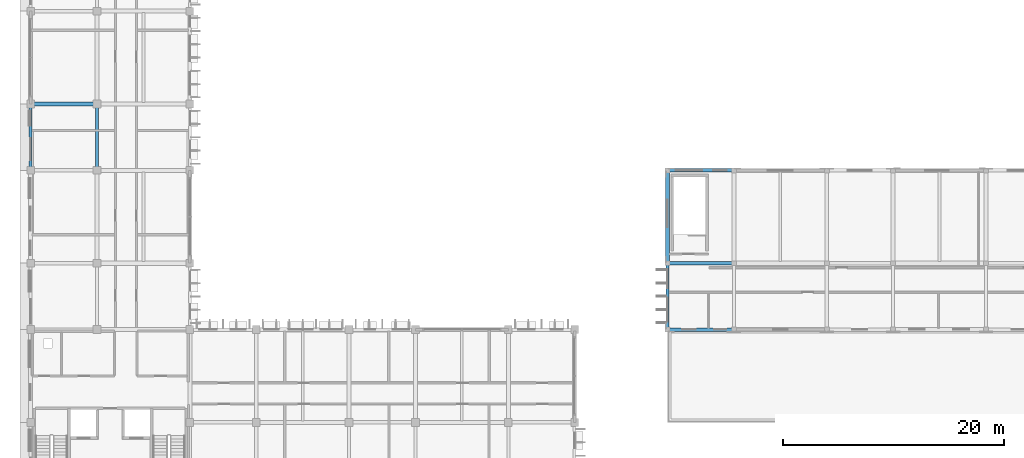
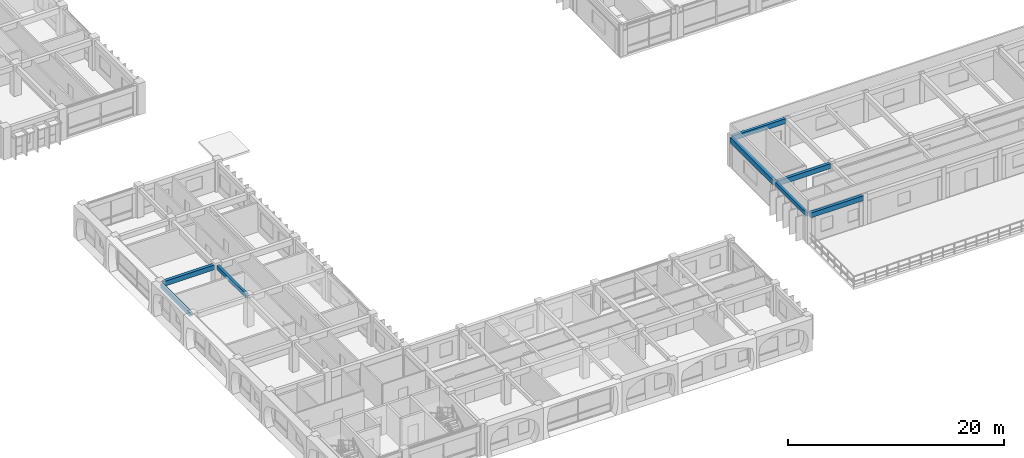
# One storey, part 16 of 88: 8 beams.
"""IFC4 building model written with IfcOpenShell, lengths in metres."""

from ifc_helpers import new_model, si_unit, direction, frame, origin, origin_2d, place, context, subcontext, project, spatial, rectangle, extrude, material, material_profile, profile_set, type_object, element, save


model = new_model("IFC4")

# Units and contexts
model_context = context("Model", 3, precision=1e-05, world=origin(), true_north=direction((0.0, 1.0)))
body_context = subcontext(model_context, "Body", "Model", "MODEL_VIEW")
ifc_project = project(units=[si_unit("LENGTHUNIT", "METRE"), si_unit("AREAUNIT", "SQUARE_METRE"), si_unit("VOLUMEUNIT", "CUBIC_METRE"), si_unit("PLANEANGLEUNIT", "RADIAN"), si_unit("MASSUNIT", "GRAM", prefix="KILO"), si_unit("THERMODYNAMICTEMPERATUREUNIT", "KELVIN")], contexts=[model_context])

# Site, building, storey
site_placement = place(None, origin())
site = spatial("IfcSite", under=ifc_project, at=site_placement, CompositionType="ELEMENT")
building_placement = place(site_placement, origin())
building = spatial("IfcBuilding", under=site, at=building_placement, Name="Thalorik Housing Commons", CompositionType="ELEMENT")
storey_placement = place(building_placement, frame((0.0, 0.0, 4.5)))
storey = spatial("IfcBuildingStorey", under=building, at=storey_placement, Name="L01", CompositionType="ELEMENT", Elevation=4.5)

# Beams
ifc_material = material(Name="Precast concrete C40/50", Category="concrete")
ifc_material_profile_1 = material_profile(ifc_material, rectangle(XDim=0.280029296875, YDim=0.449951171875, at=origin_2d()), Name="PC 280x450", Category="concrete")
ifc_profile_set_1 = profile_set([ifc_material_profile_1], Name="Precast concrete C40/50")
beam_type_1 = type_object("IfcBeamType", Name="STR-BM-PC280x450", PredefinedType="BEAM", material=ifc_profile_set_1)
for number, where, z_axis, x_axis, name in (
    (1, (8.39990234375, 37.5, 3.114990234375), (0.0, 1.0, 0.0), (-1.0, 0.0, 0.0), "L01 Beam B-450"),
    (2, (14.39990234375, 37.5, 3.114990234375), (0.0, 1.0, 0.0), (-1.0, 0.0, 0.0), "L01 Beam B-450"),
):
    element("IfcBeam", number, at=place(storey_placement, frame(where, z_axis=z_axis, x_axis=x_axis)), inside=storey, type_object=beam_type_1, Name=name, PredefinedType="BEAM", context=body_context, shape_type="SweptSolid", body=[
        extrude(rectangle(XDim=0.280029296875, YDim=0.449951171875, at=origin_2d()), origin(), (0.0, 0.0, 1.0), 5.39990234375),
    ])
beam_1_placement = place(storey_placement, frame((66.0, 22.97509765625, 3.114990234375), z_axis=(0.0, 1.0, 0.0), x_axis=(-1.0, 0.0, 0.0)))
element("IfcBeam", 3, at=beam_1_placement, inside=storey, type_object=beam_type_1, Name="L01 Beam B-450", PredefinedType="BEAM", context=body_context, shape_type="SweptSolid", body=[
    extrude(rectangle(XDim=0.280029296875, YDim=0.449951171875, at=origin_2d()), origin(), (0.0, 0.0, 1.0), 5.64990234375),
])
ifc_material_profile_2 = material_profile(ifc_material, rectangle(XDim=0.320068359375, YDim=0.550048828125, at=origin_2d()), Name="PC 320x550", Category="concrete")
ifc_profile_set_2 = profile_set([ifc_material_profile_2], Name="Precast concrete C40/50")
beam_type_2 = type_object("IfcBeamType", Name="STR-BM-PC320x550", PredefinedType="BEAM", material=ifc_profile_set_2)
for number, where, z_axis, x_axis, name in (
    (4, (66.175048828125, 22.800048828125, 3.06494140625), (1.0, 0.0, 0.0), (0.0, 1.0, 0.0), "L01 Beam B-550"),
    (5, (66.175048828125, 28.800048828125, 3.06494140625), (1.0, 0.0, 0.0), (0.0, 1.0, 0.0), "L01 Beam B-550"),
    (6, (66.175048828125, 37.199951171875, 3.06494140625), (1.0, 0.0, 0.0), (0.0, 1.0, 0.0), "L01 Beam B-550"),
):
    element("IfcBeam", number, at=place(storey_placement, frame(where, z_axis=z_axis, x_axis=x_axis)), inside=storey, type_object=beam_type_2, Name=name, PredefinedType="BEAM", context=body_context, shape_type="SweptSolid", body=[
        extrude(rectangle(XDim=0.320068359375, YDim=0.550048828125, at=origin_2d()), origin(), (0.0, 0.0, 1.0), 5.64990234375),
    ])
beam_2_placement = place(storey_placement, frame((8.699951171875, 43.199951171875, 3.06494140625), z_axis=(1.0, 0.0, 0.0), x_axis=(0.0, 1.0, 0.0)))
element("IfcBeam", 7, at=beam_2_placement, inside=storey, type_object=beam_type_2, Name="L01 Beam B-550", PredefinedType="BEAM", context=body_context, shape_type="SweptSolid", body=[
    extrude(rectangle(XDim=0.320068359375, YDim=0.550048828125, at=origin_2d()), origin(), (0.0, 0.0, 1.0), 5.400146484375),
])
ifc_material_profile_3 = material_profile(ifc_material, rectangle(XDim=0.35009765625, YDim=0.60009765625, at=origin_2d()), Name="PC 350x600", Category="concrete")
ifc_profile_set_3 = profile_set([ifc_material_profile_3], Name="Precast concrete C40/50")
beam_type_3 = type_object("IfcBeamType", Name="STR-BM-PC350x600", PredefinedType="BEAM", material=ifc_profile_set_3)
beam_3_placement = place(storey_placement, frame((66.0, 28.97509765625, 3.0400390625), z_axis=(0.0, 1.0, 0.0), x_axis=(-1.0, 0.0, 0.0)))
element("IfcBeam", 8, at=beam_3_placement, inside=storey, type_object=beam_type_3, Name="L01 Beam B-600", PredefinedType="BEAM", context=body_context, shape_type="SweptSolid", body=[
    extrude(rectangle(XDim=0.35009765625, YDim=0.60009765625, at=origin_2d()), origin(), (0.0, 0.0, 1.0), 8.0498046875),
])

save(model, "model.ifc")
